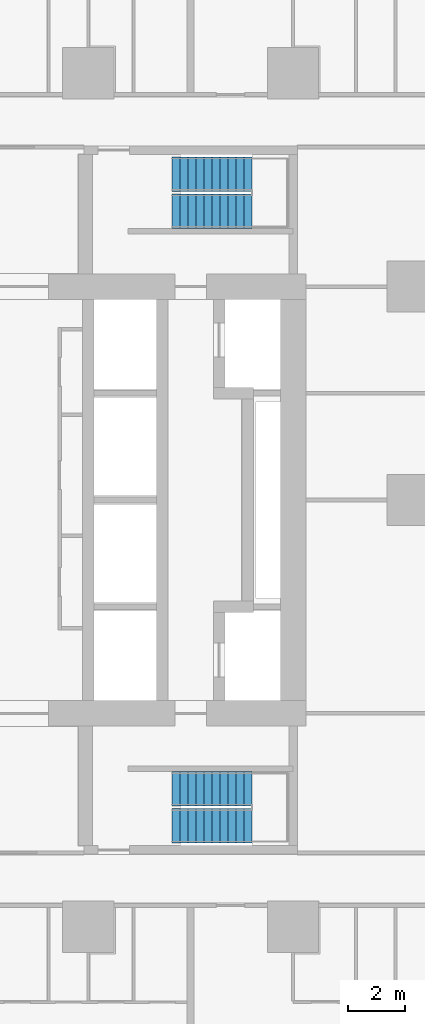
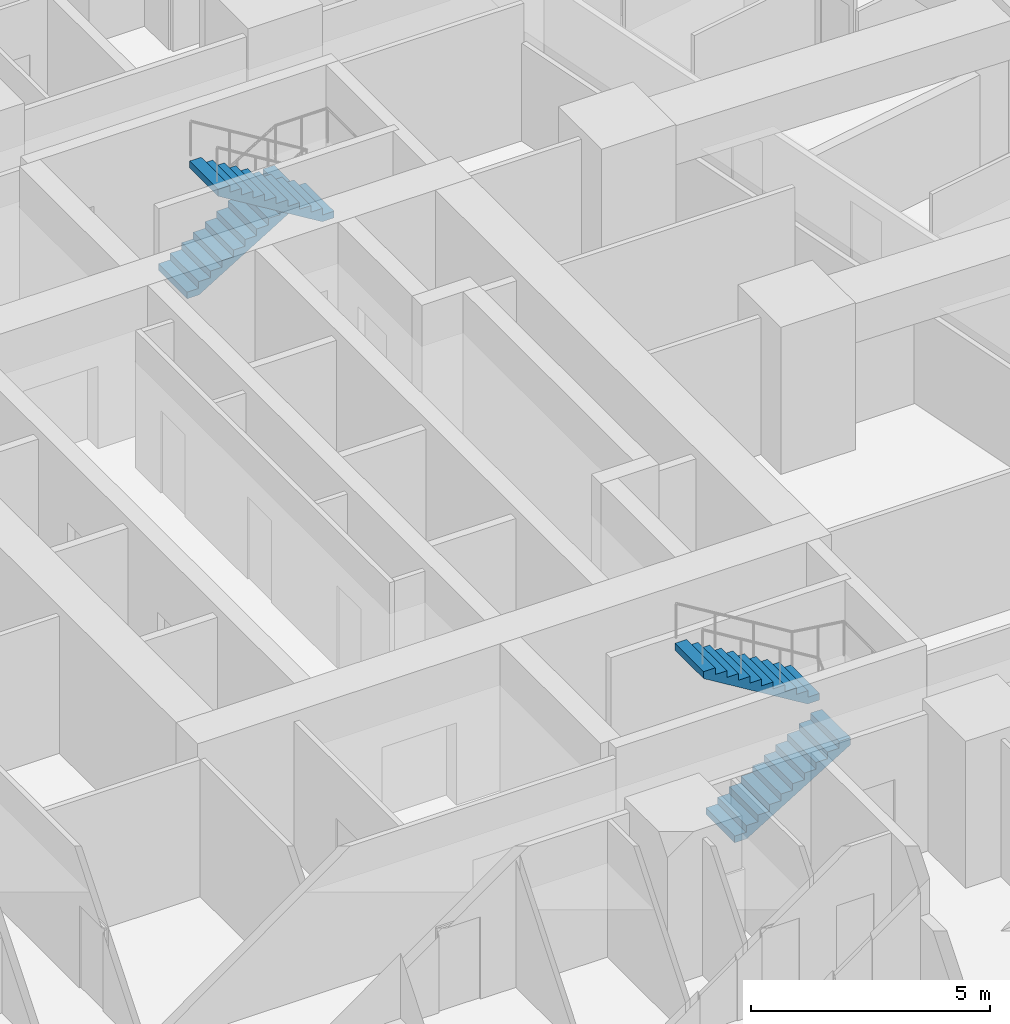
# One storey, part 15 of 18: 4 stair flights, 2 elements without a shape of their own.
"""IFC4 building model written with IfcOpenShell, lengths in metres."""

from ifc_helpers import new_model, si_unit, direction, frame, origin, place, context, subcontext, project, spatial, triangles, material, type_object, element, aggregate, save


model = new_model("IFC4")

# Units and contexts
model_context = context("Model", 3, precision=1e-05, world=origin(), true_north=direction((0.0, 1.0)))
body_context = subcontext(model_context, "Body", "Model", "MODEL_VIEW")
ifc_project = project(units=[si_unit("LENGTHUNIT", "METRE"), si_unit("AREAUNIT", "SQUARE_METRE"), si_unit("VOLUMEUNIT", "CUBIC_METRE"), si_unit("PLANEANGLEUNIT", "RADIAN"), si_unit("MASSUNIT", "GRAM", prefix="KILO")], contexts=[model_context])

# Site, building, storey
site_placement = place(None, origin())
site = spatial("IfcSite", under=ifc_project, at=site_placement, CompositionType="ELEMENT")
building_placement = place(site_placement, origin())
building = spatial("IfcBuilding", under=site, at=building_placement, Name="Sheger Commons Tower", CompositionType="ELEMENT")
storey_placement = place(building_placement, frame((0.0, 0.0, 35.0)))
storey = spatial("IfcBuildingStorey", under=building, at=storey_placement, Name="L08", CompositionType="ELEMENT", Elevation=35.0)

# Stair, stair flights
ifc_material_1 = material(Name="Concrete C35/45", Category="concrete")
stair_type = type_object("IfcStairType", Name="HALF-TURN STAIR 1200 RISE 3750", PredefinedType="HALF_TURN_STAIR", material=ifc_material_1)
stair_1_placement = place(storey_placement, origin())
stair_1 = element("IfcStair", 1, at=stair_1_placement, inside=storey, type_object=stair_type, Name="Stair S1 L08", PredefinedType="HALF_TURN_STAIR")
ifc_material_2 = material(Name="Concrete C35/45", Category="concrete")
stair_flight_type = type_object("IfcStairFlightType", Name="STAIR FLIGHT 1200 11 RISERS OF 170", PredefinedType="STRAIGHT", material=ifc_material_2)
stair_flight_1_placement = place(storey_placement, frame((24.550048828125, 11.050048828125, 0.0), z_axis=(0.0, 0.0, 1.0), x_axis=(1.0, 0.0, 0.0)))
stair_flight_1 = element("IfcStairFlight", 2, at=stair_flight_1_placement, type_object=stair_flight_type, Name="S1 flight 1", NumberOfRisers=11, NumberOfTreads=10, PredefinedType="STRAIGHT", RiserHeight=0.170454545, TreadLength=0.28, context=body_context, shape_type="Tessellation", body=[
    triangles([(0.0, 0.5999755859375, 0.0), (0.0, 0.5999755859375, 0.17041015625), (0.280029296875, 0.5999755859375, 0.17041015625), (0.280029296875, 0.5999755859375, 0.3408203125), (0.56005859375, 0.5999755859375, 0.3408203125), (0.56005859375, 0.5999755859375, 0.511474609375), (0.840087890625, 0.5999755859375, 0.511474609375), (0.840087890625, 0.5999755859375, 0.681884765625), (1.1201171875, 0.5999755859375, 0.681884765625), (1.1201171875, 0.5999755859375, 0.852294921875), (1.39990234375, 0.5999755859375, 0.852294921875), (1.39990234375, 0.5999755859375, 1.022705078125), (1.679931640625, 0.5999755859375, 1.022705078125), (1.679931640625, 0.5999755859375, 1.193115234375), (1.9599609375, 0.5999755859375, 1.193115234375), (1.9599609375, 0.5999755859375, 1.363525390625), (2.239990234375, 0.5999755859375, 1.363525390625), (2.239990234375, 0.5999755859375, 1.5341796875), (2.52001953125, 0.5999755859375, 1.5341796875), (2.52001953125, 0.5999755859375, 1.70458984375), (2.800048828125, 0.5999755859375, 1.70458984375), (2.800048828125, 0.5999755859375, 1.529052734375), (0.288330078125, 0.5999755859375, 0.0), (0.0, -0.5999755859375, 0.0), (0.0, -0.5999755859375, 0.17041015625), (0.280029296875, -0.5999755859375, 0.17041015625), (0.280029296875, -0.5999755859375, 0.3408203125), (0.56005859375, -0.5999755859375, 0.3408203125), (0.56005859375, -0.5999755859375, 0.511474609375), (0.840087890625, -0.5999755859375, 0.511474609375), (0.840087890625, -0.5999755859375, 0.681884765625), (1.1201171875, -0.5999755859375, 0.681884765625), (1.1201171875, -0.5999755859375, 0.852294921875), (1.39990234375, -0.5999755859375, 0.852294921875), (1.39990234375, -0.5999755859375, 1.022705078125), (1.679931640625, -0.5999755859375, 1.022705078125), (1.679931640625, -0.5999755859375, 1.193115234375), (1.9599609375, -0.5999755859375, 1.193115234375), (1.9599609375, -0.5999755859375, 1.363525390625), (2.239990234375, -0.5999755859375, 1.363525390625), (2.239990234375, -0.5999755859375, 1.5341796875), (2.52001953125, -0.5999755859375, 1.5341796875), (2.52001953125, -0.5999755859375, 1.70458984375), (2.800048828125, -0.5999755859375, 1.70458984375), (2.800048828125, -0.5999755859375, 1.529052734375), (0.288330078125, -0.5999755859375, 0.0), (0.0, 0.0, 0.085205078125), (0.1400146484375, 0.0, 0.17041015625), (0.280029296875, 0.0, 0.255615234375), (0.4200439453125, 0.0, 0.3408203125), (0.56005859375, 0.0, 0.4261474609375), (0.7000732421875, 0.0, 0.511474609375), (0.840087890625, 0.0, 0.5966796875), (0.9801025390625, 0.0, 0.681884765625), (1.1201171875, 0.0, 0.76708984375), (1.260009765625, 0.0, 0.852294921875), (1.39990234375, 0.0, 0.9375), (1.5399169921875, 0.0, 1.022705078125), (1.679931640625, 0.0, 1.10791015625), (1.8199462890625, 0.0, 1.193115234375), (1.9599609375, 0.0, 1.2783203125), (2.0999755859375, 0.0, 1.363525390625), (2.239990234375, 0.0, 1.4488525390625), (2.3800048828125, 0.0, 1.5341796875), (2.52001953125, 0.0, 1.619384765625), (2.6600341796875, 0.0, 1.70458984375), (2.800048828125, 0.0, 1.6168212890625), (1.544189453125, 0.0, 0.7645263671875), (0.1441650390625, 0.0, 0.0)], [[1, 22, 23], [24, 46, 45], [22, 20, 21], [45, 44, 43], [22, 19, 20], [45, 43, 42], [22, 18, 19], [45, 42, 41], [22, 17, 18], [45, 41, 40], [17, 15, 16], [40, 39, 38], [22, 15, 17], [45, 40, 38], [15, 13, 14], [38, 37, 36], [22, 13, 15], [45, 38, 36], [13, 11, 12], [36, 35, 34], [22, 11, 13], [45, 36, 34], [11, 9, 10], [34, 33, 32], [22, 9, 11], [45, 34, 32], [9, 7, 8], [32, 31, 30], [22, 7, 9], [45, 32, 30], [7, 5, 6], [30, 29, 28], [22, 5, 7], [45, 30, 28], [5, 3, 4], [28, 27, 26], [22, 3, 5], [45, 28, 26], [1, 3, 22], [24, 45, 26], [3, 1, 2], [26, 25, 24], [1, 47, 2], [2, 47, 25], [25, 47, 24], [24, 47, 1], [2, 48, 3], [3, 48, 26], [26, 48, 25], [25, 48, 2], [3, 49, 4], [4, 49, 27], [27, 49, 26], [26, 49, 3], [4, 50, 5], [5, 50, 28], [28, 50, 27], [27, 50, 4], [5, 51, 6], [6, 51, 29], [29, 51, 28], [28, 51, 5], [6, 52, 7], [7, 52, 30], [30, 52, 29], [29, 52, 6], [7, 53, 8], [8, 53, 31], [31, 53, 30], [30, 53, 7], [8, 54, 9], [9, 54, 32], [32, 54, 31], [31, 54, 8], [9, 55, 10], [10, 55, 33], [33, 55, 32], [32, 55, 9], [10, 56, 11], [11, 56, 34], [34, 56, 33], [33, 56, 10], [11, 57, 12], [12, 57, 35], [35, 57, 34], [34, 57, 11], [12, 58, 13], [13, 58, 36], [36, 58, 35], [35, 58, 12], [13, 59, 14], [14, 59, 37], [37, 59, 36], [36, 59, 13], [14, 60, 15], [15, 60, 38], [38, 60, 37], [37, 60, 14], [15, 61, 16], [16, 61, 39], [39, 61, 38], [38, 61, 15], [16, 62, 17], [17, 62, 40], [40, 62, 39], [39, 62, 16], [17, 63, 18], [18, 63, 41], [41, 63, 40], [40, 63, 17], [18, 64, 19], [19, 64, 42], [42, 64, 41], [41, 64, 18], [19, 65, 20], [20, 65, 43], [43, 65, 42], [42, 65, 19], [20, 66, 21], [21, 66, 44], [44, 66, 43], [43, 66, 20], [21, 67, 22], [22, 67, 45], [45, 67, 44], [44, 67, 21], [22, 68, 23], [23, 68, 46], [46, 68, 45], [45, 68, 22], [23, 69, 1], [1, 69, 24], [24, 69, 46], [46, 69, 23]], closed=True),
])
stair_flight_2_placement = place(storey_placement, frame((27.35009765625, 12.35009765625, 1.875), z_axis=(0.0, 0.0, 1.0), x_axis=(-1.0, 0.0, 0.0)))
stair_flight_2 = element("IfcStairFlight", 3, at=stair_flight_2_placement, type_object=stair_flight_type, Name="S1 flight 2", NumberOfRisers=11, NumberOfTreads=10, PredefinedType="STRAIGHT", RiserHeight=0.170454545, TreadLength=0.28, context=body_context, shape_type="Tessellation", body=[
    triangles([(0.0, 0.5999755859375, 0.0), (0.0, 0.5999755859375, 0.17041015625), (0.280029296875, 0.5999755859375, 0.17041015625), (0.280029296875, 0.5999755859375, 0.3408203125), (0.56005859375, 0.5999755859375, 0.3408203125), (0.56005859375, 0.5999755859375, 0.511474609375), (0.840087890625, 0.5999755859375, 0.511474609375), (0.840087890625, 0.5999755859375, 0.681884765625), (1.1201171875, 0.5999755859375, 0.681884765625), (1.1201171875, 0.5999755859375, 0.852294921875), (1.39990234375, 0.5999755859375, 0.852294921875), (1.39990234375, 0.5999755859375, 1.022705078125), (1.679931640625, 0.5999755859375, 1.022705078125), (1.679931640625, 0.5999755859375, 1.193115234375), (1.9599609375, 0.5999755859375, 1.193115234375), (1.9599609375, 0.5999755859375, 1.363525390625), (2.239990234375, 0.5999755859375, 1.363525390625), (2.239990234375, 0.5999755859375, 1.5341796875), (2.52001953125, 0.5999755859375, 1.5341796875), (2.52001953125, 0.5999755859375, 1.70458984375), (2.800048828125, 0.5999755859375, 1.70458984375), (2.800048828125, 0.5999755859375, 1.529052734375), (0.288330078125, 0.5999755859375, 0.0), (0.0, -0.5999755859375, 0.0), (0.0, -0.5999755859375, 0.17041015625), (0.280029296875, -0.5999755859375, 0.17041015625), (0.280029296875, -0.5999755859375, 0.3408203125), (0.56005859375, -0.5999755859375, 0.3408203125), (0.56005859375, -0.5999755859375, 0.511474609375), (0.840087890625, -0.5999755859375, 0.511474609375), (0.840087890625, -0.5999755859375, 0.681884765625), (1.1201171875, -0.5999755859375, 0.681884765625), (1.1201171875, -0.5999755859375, 0.852294921875), (1.39990234375, -0.5999755859375, 0.852294921875), (1.39990234375, -0.5999755859375, 1.022705078125), (1.679931640625, -0.5999755859375, 1.022705078125), (1.679931640625, -0.5999755859375, 1.193115234375), (1.9599609375, -0.5999755859375, 1.193115234375), (1.9599609375, -0.5999755859375, 1.363525390625), (2.239990234375, -0.5999755859375, 1.363525390625), (2.239990234375, -0.5999755859375, 1.5341796875), (2.52001953125, -0.5999755859375, 1.5341796875), (2.52001953125, -0.5999755859375, 1.70458984375), (2.800048828125, -0.5999755859375, 1.70458984375), (2.800048828125, -0.5999755859375, 1.529052734375), (0.288330078125, -0.5999755859375, 0.0), (0.0, 0.0, 0.085205078125), (0.1400146484375, 0.0, 0.17041015625), (0.280029296875, 0.0, 0.255615234375), (0.4200439453125, 0.0, 0.3408203125), (0.56005859375, 0.0, 0.4261474609375), (0.7000732421875, 0.0, 0.511474609375), (0.840087890625, 0.0, 0.5966796875), (0.9801025390625, 0.0, 0.681884765625), (1.1201171875, 0.0, 0.76708984375), (1.260009765625, 0.0, 0.852294921875), (1.39990234375, 0.0, 0.9375), (1.5399169921875, 0.0, 1.022705078125), (1.679931640625, 0.0, 1.10791015625), (1.8199462890625, 0.0, 1.193115234375), (1.9599609375, 0.0, 1.2783203125), (2.0999755859375, 0.0, 1.363525390625), (2.239990234375, 0.0, 1.4488525390625), (2.3800048828125, 0.0, 1.5341796875), (2.52001953125, 0.0, 1.619384765625), (2.6600341796875, 0.0, 1.70458984375), (2.800048828125, 0.0, 1.6168212890625), (1.544189453125, 0.0, 0.7645263671875), (0.1441650390625, 0.0, 0.0)], [[1, 22, 23], [24, 46, 45], [22, 20, 21], [45, 44, 43], [22, 19, 20], [45, 43, 42], [22, 18, 19], [45, 42, 41], [22, 17, 18], [45, 41, 40], [17, 15, 16], [40, 39, 38], [22, 15, 17], [45, 40, 38], [15, 13, 14], [38, 37, 36], [22, 13, 15], [45, 38, 36], [13, 11, 12], [36, 35, 34], [22, 11, 13], [45, 36, 34], [11, 9, 10], [34, 33, 32], [22, 9, 11], [45, 34, 32], [9, 7, 8], [32, 31, 30], [22, 7, 9], [45, 32, 30], [7, 5, 6], [30, 29, 28], [22, 5, 7], [45, 30, 28], [5, 3, 4], [28, 27, 26], [22, 3, 5], [45, 28, 26], [1, 3, 22], [24, 45, 26], [3, 1, 2], [26, 25, 24], [1, 47, 2], [2, 47, 25], [25, 47, 24], [24, 47, 1], [2, 48, 3], [3, 48, 26], [26, 48, 25], [25, 48, 2], [3, 49, 4], [4, 49, 27], [27, 49, 26], [26, 49, 3], [4, 50, 5], [5, 50, 28], [28, 50, 27], [27, 50, 4], [5, 51, 6], [6, 51, 29], [29, 51, 28], [28, 51, 5], [6, 52, 7], [7, 52, 30], [30, 52, 29], [29, 52, 6], [7, 53, 8], [8, 53, 31], [31, 53, 30], [30, 53, 7], [8, 54, 9], [9, 54, 32], [32, 54, 31], [31, 54, 8], [9, 55, 10], [10, 55, 33], [33, 55, 32], [32, 55, 9], [10, 56, 11], [11, 56, 34], [34, 56, 33], [33, 56, 10], [11, 57, 12], [12, 57, 35], [35, 57, 34], [34, 57, 11], [12, 58, 13], [13, 58, 36], [36, 58, 35], [35, 58, 12], [13, 59, 14], [14, 59, 37], [37, 59, 36], [36, 59, 13], [14, 60, 15], [15, 60, 38], [38, 60, 37], [37, 60, 14], [15, 61, 16], [16, 61, 39], [39, 61, 38], [38, 61, 15], [16, 62, 17], [17, 62, 40], [40, 62, 39], [39, 62, 16], [17, 63, 18], [18, 63, 41], [41, 63, 40], [40, 63, 17], [18, 64, 19], [19, 64, 42], [42, 64, 41], [41, 64, 18], [19, 65, 20], [20, 65, 43], [43, 65, 42], [42, 65, 19], [20, 66, 21], [21, 66, 44], [44, 66, 43], [43, 66, 20], [21, 67, 22], [22, 67, 45], [45, 67, 44], [44, 67, 21], [22, 68, 23], [23, 68, 46], [46, 68, 45], [45, 68, 22], [23, 69, 1], [1, 69, 24], [24, 69, 46], [46, 69, 23]], closed=True),
])
aggregate(stair_1, [stair_flight_1, stair_flight_2])

stair_2_placement = place(storey_placement, origin())
stair_2 = element("IfcStair", 4, at=stair_2_placement, inside=storey, type_object=stair_type, Name="Stair S2 L08", PredefinedType="HALF_TURN_STAIR")
stair_flight_3_placement = place(storey_placement, frame((24.550048828125, 33.949951171875, 0.0), z_axis=(0.0, 0.0, 1.0), x_axis=(1.0, 0.0, 0.0)))
stair_flight_3 = element("IfcStairFlight", 5, at=stair_flight_3_placement, type_object=stair_flight_type, Name="S2 flight 1", NumberOfRisers=11, NumberOfTreads=10, PredefinedType="STRAIGHT", RiserHeight=0.170454545, TreadLength=0.28, context=body_context, shape_type="Tessellation", body=[
    triangles([(0.0, 0.5999755859375, 0.0), (0.0, 0.5999755859375, 0.17041015625), (0.280029296875, 0.5999755859375, 0.17041015625), (0.280029296875, 0.5999755859375, 0.3408203125), (0.56005859375, 0.5999755859375, 0.3408203125), (0.56005859375, 0.5999755859375, 0.511474609375), (0.840087890625, 0.5999755859375, 0.511474609375), (0.840087890625, 0.5999755859375, 0.681884765625), (1.1201171875, 0.5999755859375, 0.681884765625), (1.1201171875, 0.5999755859375, 0.852294921875), (1.39990234375, 0.5999755859375, 0.852294921875), (1.39990234375, 0.5999755859375, 1.022705078125), (1.679931640625, 0.5999755859375, 1.022705078125), (1.679931640625, 0.5999755859375, 1.193115234375), (1.9599609375, 0.5999755859375, 1.193115234375), (1.9599609375, 0.5999755859375, 1.363525390625), (2.239990234375, 0.5999755859375, 1.363525390625), (2.239990234375, 0.5999755859375, 1.5341796875), (2.52001953125, 0.5999755859375, 1.5341796875), (2.52001953125, 0.5999755859375, 1.70458984375), (2.800048828125, 0.5999755859375, 1.70458984375), (2.800048828125, 0.5999755859375, 1.529052734375), (0.288330078125, 0.5999755859375, 0.0), (0.0, -0.5999755859375, 0.0), (0.0, -0.5999755859375, 0.17041015625), (0.280029296875, -0.5999755859375, 0.17041015625), (0.280029296875, -0.5999755859375, 0.3408203125), (0.56005859375, -0.5999755859375, 0.3408203125), (0.56005859375, -0.5999755859375, 0.511474609375), (0.840087890625, -0.5999755859375, 0.511474609375), (0.840087890625, -0.5999755859375, 0.681884765625), (1.1201171875, -0.5999755859375, 0.681884765625), (1.1201171875, -0.5999755859375, 0.852294921875), (1.39990234375, -0.5999755859375, 0.852294921875), (1.39990234375, -0.5999755859375, 1.022705078125), (1.679931640625, -0.5999755859375, 1.022705078125), (1.679931640625, -0.5999755859375, 1.193115234375), (1.9599609375, -0.5999755859375, 1.193115234375), (1.9599609375, -0.5999755859375, 1.363525390625), (2.239990234375, -0.5999755859375, 1.363525390625), (2.239990234375, -0.5999755859375, 1.5341796875), (2.52001953125, -0.5999755859375, 1.5341796875), (2.52001953125, -0.5999755859375, 1.70458984375), (2.800048828125, -0.5999755859375, 1.70458984375), (2.800048828125, -0.5999755859375, 1.529052734375), (0.288330078125, -0.5999755859375, 0.0), (0.0, 0.0, 0.085205078125), (0.1400146484375, 0.0, 0.17041015625), (0.280029296875, 0.0, 0.255615234375), (0.4200439453125, 0.0, 0.3408203125), (0.56005859375, 0.0, 0.4261474609375), (0.7000732421875, 0.0, 0.511474609375), (0.840087890625, 0.0, 0.5966796875), (0.9801025390625, 0.0, 0.681884765625), (1.1201171875, 0.0, 0.76708984375), (1.260009765625, 0.0, 0.852294921875), (1.39990234375, 0.0, 0.9375), (1.5399169921875, 0.0, 1.022705078125), (1.679931640625, 0.0, 1.10791015625), (1.8199462890625, 0.0, 1.193115234375), (1.9599609375, 0.0, 1.2783203125), (2.0999755859375, 0.0, 1.363525390625), (2.239990234375, 0.0, 1.4488525390625), (2.3800048828125, 0.0, 1.5341796875), (2.52001953125, 0.0, 1.619384765625), (2.6600341796875, 0.0, 1.70458984375), (2.800048828125, 0.0, 1.6168212890625), (1.544189453125, 0.0, 0.7645263671875), (0.1441650390625, 0.0, 0.0)], [[1, 22, 23], [24, 46, 45], [22, 20, 21], [45, 44, 43], [22, 19, 20], [45, 43, 42], [22, 18, 19], [45, 42, 41], [22, 17, 18], [45, 41, 40], [17, 15, 16], [40, 39, 38], [22, 15, 17], [45, 40, 38], [15, 13, 14], [38, 37, 36], [22, 13, 15], [45, 38, 36], [13, 11, 12], [36, 35, 34], [22, 11, 13], [45, 36, 34], [11, 9, 10], [34, 33, 32], [22, 9, 11], [45, 34, 32], [9, 7, 8], [32, 31, 30], [22, 7, 9], [45, 32, 30], [7, 5, 6], [30, 29, 28], [22, 5, 7], [45, 30, 28], [5, 3, 4], [28, 27, 26], [22, 3, 5], [45, 28, 26], [1, 3, 22], [24, 45, 26], [3, 1, 2], [26, 25, 24], [1, 47, 2], [2, 47, 25], [25, 47, 24], [24, 47, 1], [2, 48, 3], [3, 48, 26], [26, 48, 25], [25, 48, 2], [3, 49, 4], [4, 49, 27], [27, 49, 26], [26, 49, 3], [4, 50, 5], [5, 50, 28], [28, 50, 27], [27, 50, 4], [5, 51, 6], [6, 51, 29], [29, 51, 28], [28, 51, 5], [6, 52, 7], [7, 52, 30], [30, 52, 29], [29, 52, 6], [7, 53, 8], [8, 53, 31], [31, 53, 30], [30, 53, 7], [8, 54, 9], [9, 54, 32], [32, 54, 31], [31, 54, 8], [9, 55, 10], [10, 55, 33], [33, 55, 32], [32, 55, 9], [10, 56, 11], [11, 56, 34], [34, 56, 33], [33, 56, 10], [11, 57, 12], [12, 57, 35], [35, 57, 34], [34, 57, 11], [12, 58, 13], [13, 58, 36], [36, 58, 35], [35, 58, 12], [13, 59, 14], [14, 59, 37], [37, 59, 36], [36, 59, 13], [14, 60, 15], [15, 60, 38], [38, 60, 37], [37, 60, 14], [15, 61, 16], [16, 61, 39], [39, 61, 38], [38, 61, 15], [16, 62, 17], [17, 62, 40], [40, 62, 39], [39, 62, 16], [17, 63, 18], [18, 63, 41], [41, 63, 40], [40, 63, 17], [18, 64, 19], [19, 64, 42], [42, 64, 41], [41, 64, 18], [19, 65, 20], [20, 65, 43], [43, 65, 42], [42, 65, 19], [20, 66, 21], [21, 66, 44], [44, 66, 43], [43, 66, 20], [21, 67, 22], [22, 67, 45], [45, 67, 44], [44, 67, 21], [22, 68, 23], [23, 68, 46], [46, 68, 45], [45, 68, 22], [23, 69, 1], [1, 69, 24], [24, 69, 46], [46, 69, 23]], closed=True),
])
stair_flight_4_placement = place(storey_placement, frame((27.35009765625, 32.64990234375, 1.875), z_axis=(0.0, 0.0, 1.0), x_axis=(-1.0, 0.0, 0.0)))
stair_flight_4 = element("IfcStairFlight", 6, at=stair_flight_4_placement, type_object=stair_flight_type, Name="S2 flight 2", NumberOfRisers=11, NumberOfTreads=10, PredefinedType="STRAIGHT", RiserHeight=0.170454545, TreadLength=0.28, context=body_context, shape_type="Tessellation", body=[
    triangles([(0.0, 0.5999755859375, 0.0), (0.0, 0.5999755859375, 0.17041015625), (0.280029296875, 0.5999755859375, 0.17041015625), (0.280029296875, 0.5999755859375, 0.3408203125), (0.56005859375, 0.5999755859375, 0.3408203125), (0.56005859375, 0.5999755859375, 0.511474609375), (0.840087890625, 0.5999755859375, 0.511474609375), (0.840087890625, 0.5999755859375, 0.681884765625), (1.1201171875, 0.5999755859375, 0.681884765625), (1.1201171875, 0.5999755859375, 0.852294921875), (1.39990234375, 0.5999755859375, 0.852294921875), (1.39990234375, 0.5999755859375, 1.022705078125), (1.679931640625, 0.5999755859375, 1.022705078125), (1.679931640625, 0.5999755859375, 1.193115234375), (1.9599609375, 0.5999755859375, 1.193115234375), (1.9599609375, 0.5999755859375, 1.363525390625), (2.239990234375, 0.5999755859375, 1.363525390625), (2.239990234375, 0.5999755859375, 1.5341796875), (2.52001953125, 0.5999755859375, 1.5341796875), (2.52001953125, 0.5999755859375, 1.70458984375), (2.800048828125, 0.5999755859375, 1.70458984375), (2.800048828125, 0.5999755859375, 1.529052734375), (0.288330078125, 0.5999755859375, 0.0), (0.0, -0.5999755859375, 0.0), (0.0, -0.5999755859375, 0.17041015625), (0.280029296875, -0.5999755859375, 0.17041015625), (0.280029296875, -0.5999755859375, 0.3408203125), (0.56005859375, -0.5999755859375, 0.3408203125), (0.56005859375, -0.5999755859375, 0.511474609375), (0.840087890625, -0.5999755859375, 0.511474609375), (0.840087890625, -0.5999755859375, 0.681884765625), (1.1201171875, -0.5999755859375, 0.681884765625), (1.1201171875, -0.5999755859375, 0.852294921875), (1.39990234375, -0.5999755859375, 0.852294921875), (1.39990234375, -0.5999755859375, 1.022705078125), (1.679931640625, -0.5999755859375, 1.022705078125), (1.679931640625, -0.5999755859375, 1.193115234375), (1.9599609375, -0.5999755859375, 1.193115234375), (1.9599609375, -0.5999755859375, 1.363525390625), (2.239990234375, -0.5999755859375, 1.363525390625), (2.239990234375, -0.5999755859375, 1.5341796875), (2.52001953125, -0.5999755859375, 1.5341796875), (2.52001953125, -0.5999755859375, 1.70458984375), (2.800048828125, -0.5999755859375, 1.70458984375), (2.800048828125, -0.5999755859375, 1.529052734375), (0.288330078125, -0.5999755859375, 0.0), (0.0, 0.0, 0.085205078125), (0.1400146484375, 0.0, 0.17041015625), (0.280029296875, 0.0, 0.255615234375), (0.4200439453125, 0.0, 0.3408203125), (0.56005859375, 0.0, 0.4261474609375), (0.7000732421875, 0.0, 0.511474609375), (0.840087890625, 0.0, 0.5966796875), (0.9801025390625, 0.0, 0.681884765625), (1.1201171875, 0.0, 0.76708984375), (1.260009765625, 0.0, 0.852294921875), (1.39990234375, 0.0, 0.9375), (1.5399169921875, 0.0, 1.022705078125), (1.679931640625, 0.0, 1.10791015625), (1.8199462890625, 0.0, 1.193115234375), (1.9599609375, 0.0, 1.2783203125), (2.0999755859375, 0.0, 1.363525390625), (2.239990234375, 0.0, 1.4488525390625), (2.3800048828125, 0.0, 1.5341796875), (2.52001953125, 0.0, 1.619384765625), (2.6600341796875, 0.0, 1.70458984375), (2.800048828125, 0.0, 1.6168212890625), (1.544189453125, 0.0, 0.7645263671875), (0.1441650390625, 0.0, 0.0)], [[1, 22, 23], [24, 46, 45], [22, 20, 21], [45, 44, 43], [22, 19, 20], [45, 43, 42], [22, 18, 19], [45, 42, 41], [22, 17, 18], [45, 41, 40], [17, 15, 16], [40, 39, 38], [22, 15, 17], [45, 40, 38], [15, 13, 14], [38, 37, 36], [22, 13, 15], [45, 38, 36], [13, 11, 12], [36, 35, 34], [22, 11, 13], [45, 36, 34], [11, 9, 10], [34, 33, 32], [22, 9, 11], [45, 34, 32], [9, 7, 8], [32, 31, 30], [22, 7, 9], [45, 32, 30], [7, 5, 6], [30, 29, 28], [22, 5, 7], [45, 30, 28], [5, 3, 4], [28, 27, 26], [22, 3, 5], [45, 28, 26], [1, 3, 22], [24, 45, 26], [3, 1, 2], [26, 25, 24], [1, 47, 2], [2, 47, 25], [25, 47, 24], [24, 47, 1], [2, 48, 3], [3, 48, 26], [26, 48, 25], [25, 48, 2], [3, 49, 4], [4, 49, 27], [27, 49, 26], [26, 49, 3], [4, 50, 5], [5, 50, 28], [28, 50, 27], [27, 50, 4], [5, 51, 6], [6, 51, 29], [29, 51, 28], [28, 51, 5], [6, 52, 7], [7, 52, 30], [30, 52, 29], [29, 52, 6], [7, 53, 8], [8, 53, 31], [31, 53, 30], [30, 53, 7], [8, 54, 9], [9, 54, 32], [32, 54, 31], [31, 54, 8], [9, 55, 10], [10, 55, 33], [33, 55, 32], [32, 55, 9], [10, 56, 11], [11, 56, 34], [34, 56, 33], [33, 56, 10], [11, 57, 12], [12, 57, 35], [35, 57, 34], [34, 57, 11], [12, 58, 13], [13, 58, 36], [36, 58, 35], [35, 58, 12], [13, 59, 14], [14, 59, 37], [37, 59, 36], [36, 59, 13], [14, 60, 15], [15, 60, 38], [38, 60, 37], [37, 60, 14], [15, 61, 16], [16, 61, 39], [39, 61, 38], [38, 61, 15], [16, 62, 17], [17, 62, 40], [40, 62, 39], [39, 62, 16], [17, 63, 18], [18, 63, 41], [41, 63, 40], [40, 63, 17], [18, 64, 19], [19, 64, 42], [42, 64, 41], [41, 64, 18], [19, 65, 20], [20, 65, 43], [43, 65, 42], [42, 65, 19], [20, 66, 21], [21, 66, 44], [44, 66, 43], [43, 66, 20], [21, 67, 22], [22, 67, 45], [45, 67, 44], [44, 67, 21], [22, 68, 23], [23, 68, 46], [46, 68, 45], [45, 68, 22], [23, 69, 1], [1, 69, 24], [24, 69, 46], [46, 69, 23]], closed=True),
])
aggregate(stair_2, [stair_flight_3, stair_flight_4])

save(model, "model.ifc")
